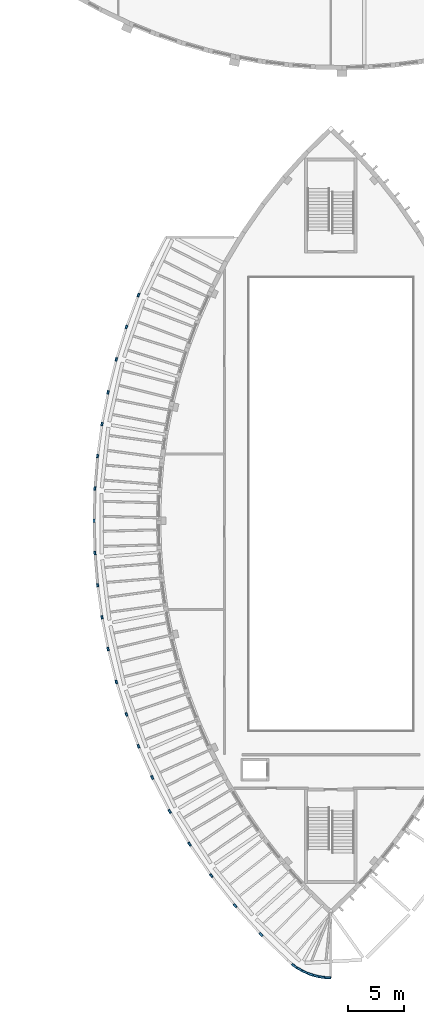
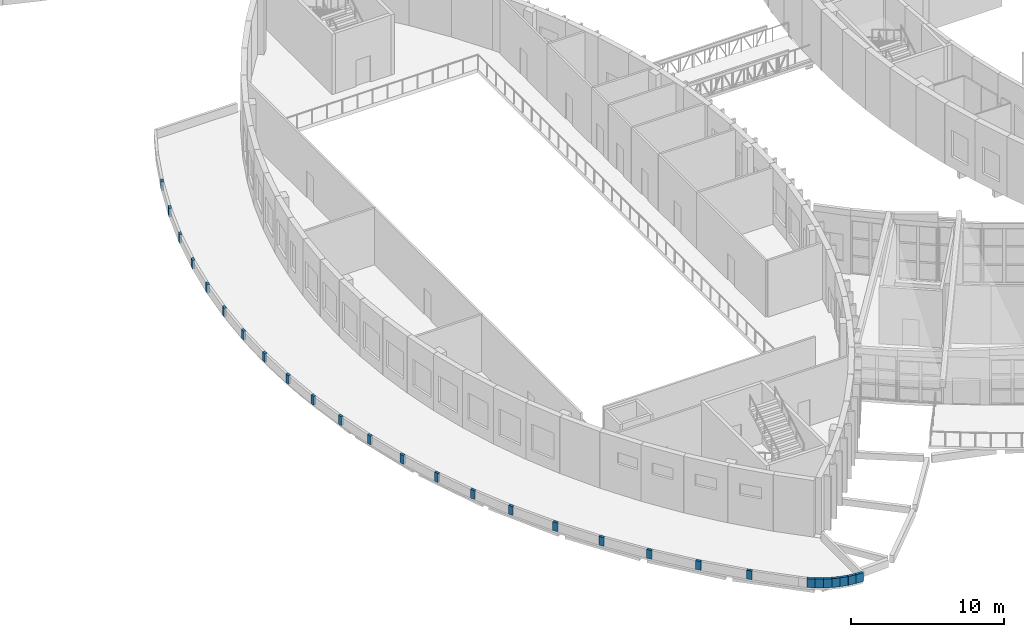
# One storey, part 77 of 93: 28 walls.
"""IFC4 building model written with IfcOpenShell, lengths in metres."""

from ifc_helpers import new_model, si_unit, direction, frame, frame_2d, origin, place, context, subcontext, project, spatial, rectangle, extrude, material, layer, layer_set, type_object, element, save


model = new_model("IFC4")

# Units and contexts
model_context = context("Model", 3, precision=1e-05, world=origin(), true_north=direction((0.0, 1.0)))
body_context = subcontext(model_context, "Body", "Model", "MODEL_VIEW")
ifc_project = project(units=[si_unit("LENGTHUNIT", "METRE"), si_unit("AREAUNIT", "SQUARE_METRE"), si_unit("VOLUMEUNIT", "CUBIC_METRE"), si_unit("PLANEANGLEUNIT", "RADIAN"), si_unit("MASSUNIT", "GRAM", prefix="KILO")], contexts=[model_context])

# Site, building, storey
site_placement = place(None, origin())
site = spatial("IfcSite", under=ifc_project, at=site_placement, CompositionType="ELEMENT")
building_placement = place(site_placement, origin())
building = spatial("IfcBuilding", under=site, at=building_placement, Name="Tide Square Theatres", CompositionType="ELEMENT")
storey_placement = place(building_placement, frame((0.0, 0.0, 5.39990234375)))
storey = spatial("IfcBuildingStorey", under=building, at=storey_placement, Name="L01", CompositionType="ELEMENT", Elevation=5.39990234375)

# Walls
ifc_material = material(Name="Concrete C40", Category="concrete")
ifc_layer = layer(ifc_material, 0.179931640625)
ifc_layer_set = layer_set([ifc_layer], Name="Concrete C40")
wall_type = type_object("IfcWallType", Name="RC parapet 180 thick", PredefinedType="PARAPET", material=ifc_layer_set)
wall_1_placement = place(storey_placement, frame((25.35595703125, 12.439453125, 0.0), z_axis=(0.0, 0.0, 1.0), x_axis=(-0.595649300385, 0.803244614642, 0.0)))
element("IfcWall", 1, at=wall_1_placement, inside=storey, type_object=wall_type, Name="Arcade roof parapet", PredefinedType="PARAPET", context=body_context, shape_type="SweptSolid", body=[
    extrude(rectangle(XDim=0.35986328125, YDim=0.179931640625, at=frame_2d((0.179931640625, 0.0))), origin(), (0.0, 0.0, 1.0), 0.7001953125),
])
wall_2_placement = place(storey_placement, frame((23.385986328125, 15.263427734375, 0.0), z_axis=(0.0, 0.0, 1.0), x_axis=(-0.54226598947, 0.840206877301, 0.0)))
element("IfcWall", 2, at=wall_2_placement, inside=storey, type_object=wall_type, Name="Arcade roof parapet", PredefinedType="PARAPET", context=body_context, shape_type="SweptSolid", body=[
    extrude(rectangle(XDim=0.359619140625, YDim=0.179931640625, at=frame_2d((0.1796875, 0.0))), origin(), (0.0, 0.0, 1.0), 0.7001953125),
])
wall_3_placement = place(storey_placement, frame((21.6015625, 18.2080078125, 0.0), z_axis=(0.0, 0.0, 1.0), x_axis=(-0.487714932745, 0.873002946374, 0.0)))
element("IfcWall", 3, at=wall_3_placement, inside=storey, type_object=wall_type, Name="Arcade roof parapet", PredefinedType="PARAPET", context=body_context, shape_type="SweptSolid", body=[
    extrude(rectangle(XDim=0.35986328125, YDim=0.179931640625, at=frame_2d((0.179931640625, 0.0))), origin(), (0.0, 0.0, 1.0), 0.7001953125),
])
wall_4_placement = place(storey_placement, frame((20.009765625, 21.260986328125, 0.0), z_axis=(0.0, 0.0, 1.0), x_axis=(-0.431913171328, 0.901915191375, 0.0)))
element("IfcWall", 4, at=wall_4_placement, inside=storey, type_object=wall_type, Name="Arcade roof parapet", PredefinedType="PARAPET", context=body_context, shape_type="SweptSolid", body=[
    extrude(rectangle(XDim=0.339599609375, YDim=0.179931640625, at=frame_2d((0.169921875, 0.0))), origin(), (0.0, 0.0, 1.0), 0.7001953125),
])
for number, where, z_axis, x_axis, name in (
    (5, (18.75537109375, 24.0703125, 0.0), (0.0, 0.0, 1.0), (-0.378364960864, 0.925656500215, 0.0), "Arcade roof parapet"),
    (6, (17.67138671875, 26.92822265625, 0.0), (0.0, 0.0, 1.0), (-0.324930194728, 0.945738002067, 0.0), "Arcade roof parapet"),
    (7, (16.752197265625, 29.843017578125, 0.0), (0.0, 0.0, 1.0), (-0.270679146849, 0.962669621138, 0.0), "Arcade roof parapet"),
):
    element("IfcWall", number, at=place(storey_placement, frame(where, z_axis=z_axis, x_axis=x_axis)), inside=storey, type_object=wall_type, Name=name, PredefinedType="PARAPET", context=body_context, shape_type="SweptSolid", body=[
        extrude(rectangle(XDim=0.3193359375, YDim=0.179931640625, at=frame_2d((0.15966796875, 0.0))), origin(), (0.0, 0.0, 1.0), 0.7001953125),
    ])
wall_5_placement = place(storey_placement, frame((16.00048828125, 32.8056640625, 0.0), z_axis=(0.0, 0.0, 1.0), x_axis=(-0.216266673639, 0.976334330992, 0.0)))
element("IfcWall", 8, at=wall_5_placement, inside=storey, type_object=wall_type, Name="Arcade roof parapet", PredefinedType="PARAPET", context=body_context, shape_type="SweptSolid", body=[
    extrude(rectangle(XDim=0.3115234375, YDim=0.179931640625, at=frame_2d((0.15576171875, 0.0))), origin(), (0.0, 0.0, 1.0), 0.7001953125),
])
wall_6_placement = place(storey_placement, frame((15.44189453125, 35.66650390625, 0.0), z_axis=(0.0, 0.0, 1.0), x_axis=(-0.162313776299, 0.986739194531, 0.0)))
element("IfcWall", 9, at=wall_6_placement, inside=storey, type_object=wall_type, Name="Arcade roof parapet", PredefinedType="PARAPET", context=body_context, shape_type="SweptSolid", body=[
    extrude(rectangle(XDim=0.303955078125, YDim=0.179931640625, at=frame_2d((0.15185546875, 0.0))), origin(), (0.0, 0.0, 1.0), 0.7001953125),
])
for number, where, z_axis, x_axis, name in (
    (10, (15.040771484375, 38.545654296875, 0.0), (0.0, 0.0, 1.0), (-0.108490829217, 0.994097449939, 0.0), "Arcade roof parapet"),
    (11, (14.796142578125, 41.4423828125, 0.0), (0.0, 0.0, 1.0), (-0.053866927734, 0.998548123075, 0.0), "Arcade roof parapet"),
    (12, (14.709228515625, 44.34814453125, 0.0), (0.0, 0.0, 1.0), (0.0, 1.0, 0.0), "Arcade roof parapet"),
    (13, (14.77978515625, 47.25439453125, 0.0), (0.0, 0.0, 1.0), (0.053866927734, 0.998548123075, 0.0), "Arcade roof parapet"),
    (14, (15.0078125, 50.15234375, 0.0), (0.0, 0.0, 1.0), (0.108490829217, 0.994097449939, 0.0), "Arcade roof parapet"),
):
    element("IfcWall", number, at=place(storey_placement, frame(where, z_axis=z_axis, x_axis=x_axis)), inside=storey, type_object=wall_type, Name=name, PredefinedType="PARAPET", context=body_context, shape_type="SweptSolid", body=[
        extrude(rectangle(XDim=0.3037109375, YDim=0.179931640625, at=frame_2d((0.15185546875, 0.0))), origin(), (0.0, 0.0, 1.0), 0.7001953125),
    ])
wall_7_placement = place(storey_placement, frame((15.392578125, 53.03369140625, 0.0), z_axis=(0.0, 0.0, 1.0), x_axis=(0.162313776299, 0.986739194531, 0.0)))
element("IfcWall", 15, at=wall_7_placement, inside=storey, type_object=wall_type, Name="Arcade roof parapet", PredefinedType="PARAPET", context=body_context, shape_type="SweptSolid", body=[
    extrude(rectangle(XDim=0.303955078125, YDim=0.179931640625, at=frame_2d((0.15185546875, 0.0))), origin(), (0.0, 0.0, 1.0), 0.7001953125),
])
wall_8_placement = place(storey_placement, frame((15.93310546875, 55.89013671875, 0.0), z_axis=(0.0, 0.0, 1.0), x_axis=(0.216266673639, 0.976334330992, 0.0)))
element("IfcWall", 16, at=wall_8_placement, inside=storey, type_object=wall_type, Name="Arcade roof parapet", PredefinedType="PARAPET", context=body_context, shape_type="SweptSolid", body=[
    extrude(rectangle(XDim=0.3115234375, YDim=0.179931640625, at=frame_2d((0.15576171875, 0.0))), origin(), (0.0, 0.0, 1.0), 0.7001953125),
])
for number, where, z_axis, x_axis, name in (
    (17, (16.665771484375, 58.849609375, 0.0), (0.0, 0.0, 1.0), (0.270679146849, 0.962669621138, 0.0), "Arcade roof parapet"),
    (18, (17.567626953125, 61.769775390625, 0.0), (0.0, 0.0, 1.0), (0.324930194728, 0.945738002067, 0.0), "Arcade roof parapet"),
    (19, (18.634521484375, 64.634033203125, 0.0), (0.0, 0.0, 1.0), (0.378364960864, 0.925656500215, 0.0), "Arcade roof parapet"),
):
    element("IfcWall", number, at=place(storey_placement, frame(where, z_axis=z_axis, x_axis=x_axis)), inside=storey, type_object=wall_type, Name=name, PredefinedType="PARAPET", context=body_context, shape_type="SweptSolid", body=[
        extrude(rectangle(XDim=0.3193359375, YDim=0.179931640625, at=frame_2d((0.15966796875, 0.0))), origin(), (0.0, 0.0, 1.0), 0.7001953125),
    ])
wall_9_placement = place(storey_placement, frame((36.0, 3.39990234375, 0.0), z_axis=(0.0, 0.0, 1.0), x_axis=(-0.998826810667, 0.048425223716, 0.0)))
element("IfcWall", 20, at=wall_9_placement, inside=storey, type_object=wall_type, Name="Arcade roof parapet", PredefinedType="PARAPET", context=body_context, shape_type="SweptSolid", body=[
    extrude(rectangle(XDim=0.53955078125, YDim=0.179931640625, at=frame_2d((0.269775390625, 0.0))), origin(), (0.0, 0.0, 1.0), 0.7001953125),
])
wall_10_placement = place(storey_placement, frame((35.461181640625, 3.426025390625, 0.0), z_axis=(0.0, 0.0, 1.0), x_axis=(-0.98958409436, 0.143955966151, 0.0)))
element("IfcWall", 21, at=wall_10_placement, inside=storey, type_object=wall_type, Name="Arcade roof parapet", PredefinedType="PARAPET", context=body_context, shape_type="SweptSolid", body=[
    extrude(rectangle(XDim=0.539306640625, YDim=0.179931640625, at=frame_2d((0.26953125, 0.0))), origin(), (0.0, 0.0, 1.0), 0.7001953125),
])
wall_11_placement = place(storey_placement, frame((34.927490234375, 3.503662109375, 0.0), z_axis=(0.0, 0.0, 1.0), x_axis=(-0.971145616793, 0.238487297321, 0.0)))
element("IfcWall", 22, at=wall_11_placement, inside=storey, type_object=wall_type, Name="Arcade roof parapet", PredefinedType="PARAPET", context=body_context, shape_type="SweptSolid", body=[
    extrude(rectangle(XDim=0.53955078125, YDim=0.179931640625, at=frame_2d((0.269775390625, 0.0))), origin(), (0.0, 0.0, 1.0), 0.7001953125),
])
wall_12_placement = place(storey_placement, frame((34.403564453125, 3.63232421875, 0.0), z_axis=(0.0, 0.0, 1.0), x_axis=(-0.943681816656, 0.330854392314, 0.0)))
element("IfcWall", 23, at=wall_12_placement, inside=storey, type_object=wall_type, Name="Arcade roof parapet", PredefinedType="PARAPET", context=body_context, shape_type="SweptSolid", body=[
    extrude(rectangle(XDim=0.539306640625, YDim=0.179931640625, at=frame_2d((0.26953125, 0.0))), origin(), (0.0, 0.0, 1.0), 0.7001953125),
])
wall_13_placement = place(storey_placement, frame((33.89453125, 3.810791015625, 0.0), z_axis=(0.0, 0.0, 1.0), x_axis=(-0.907415801752, 0.4202339381, 0.0)))
element("IfcWall", 24, at=wall_13_placement, inside=storey, type_object=wall_type, Name="Arcade roof parapet", PredefinedType="PARAPET", context=body_context, shape_type="SweptSolid", body=[
    extrude(rectangle(XDim=0.539794921875, YDim=0.179931640625, at=frame_2d((0.27001953125, 0.0))), origin(), (0.0, 0.0, 1.0), 0.7001953125),
])
for number, where, z_axis, x_axis, name in (
    (25, (33.40478515625, 4.03759765625, 0.0), (0.0, 0.0, 1.0), (-0.862759252365, 0.505614944854, 0.0), "Arcade roof parapet"),
    (26, (32.939453125, 4.310302734375, 0.0), (0.0, 0.0, 1.0), (-0.810201543452, 0.586151395961, 0.0), "Arcade roof parapet"),
):
    element("IfcWall", number, at=place(storey_placement, frame(where, z_axis=z_axis, x_axis=x_axis)), inside=storey, type_object=wall_type, Name=name, PredefinedType="PARAPET", context=body_context, shape_type="SweptSolid", body=[
        extrude(rectangle(XDim=0.539306640625, YDim=0.179931640625, at=frame_2d((0.26953125, 0.0))), origin(), (0.0, 0.0, 1.0), 0.7001953125),
    ])
wall_14_placement = place(storey_placement, frame((29.8544921875, 7.16259765625, 0.0), z_axis=(0.0, 0.0, 1.0), x_axis=(-0.693937400425, 0.720035335446, 0.0)))
element("IfcWall", 27, at=wall_14_placement, inside=storey, type_object=wall_type, Name="Arcade roof parapet", PredefinedType="PARAPET", context=body_context, shape_type="SweptSolid", body=[
    extrude(rectangle(XDim=0.36474609375, YDim=0.179931640625, at=frame_2d((0.182373046875, 0.0))), origin(), (0.0, 0.0, 1.0), 0.7001953125),
])
wall_15_placement = place(storey_placement, frame((27.5048828125, 9.74609375, 0.0), z_axis=(0.0, 0.0, 1.0), x_axis=(-0.646395355102, 0.763002650652, 0.0)))
element("IfcWall", 28, at=wall_15_placement, inside=storey, type_object=wall_type, Name="Arcade roof parapet", PredefinedType="PARAPET", context=body_context, shape_type="SweptSolid", body=[
    extrude(rectangle(XDim=0.3623046875, YDim=0.179931640625, at=frame_2d((0.18115234375, 0.0))), origin(), (0.0, 0.0, 1.0), 0.7001953125),
])

save(model, "model.ifc")
